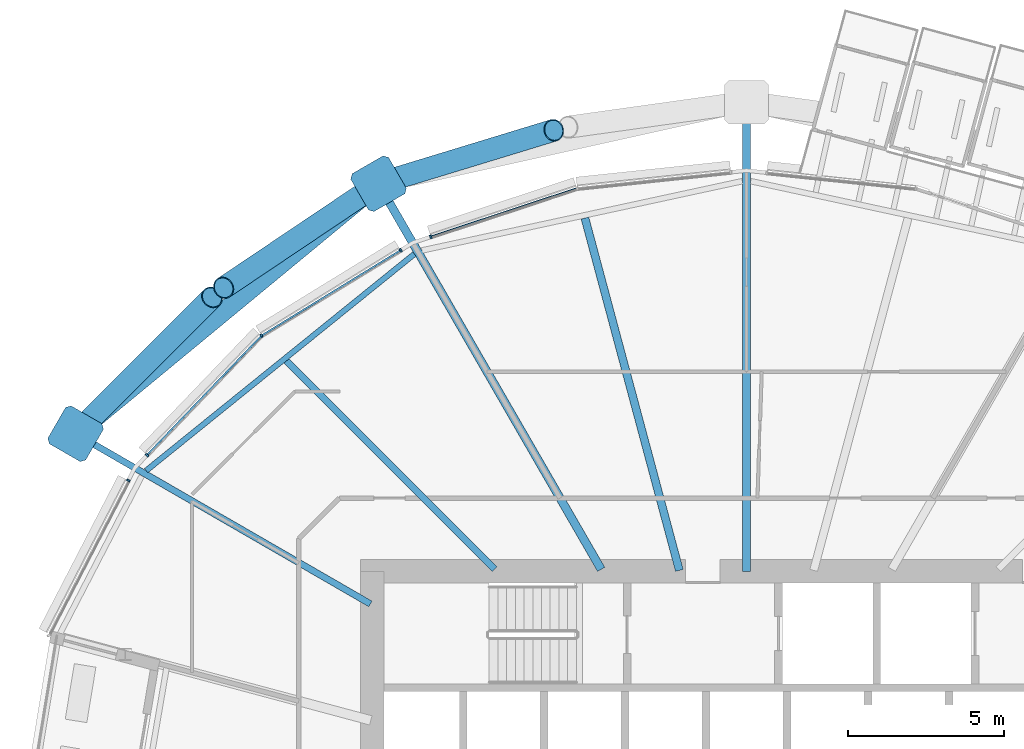
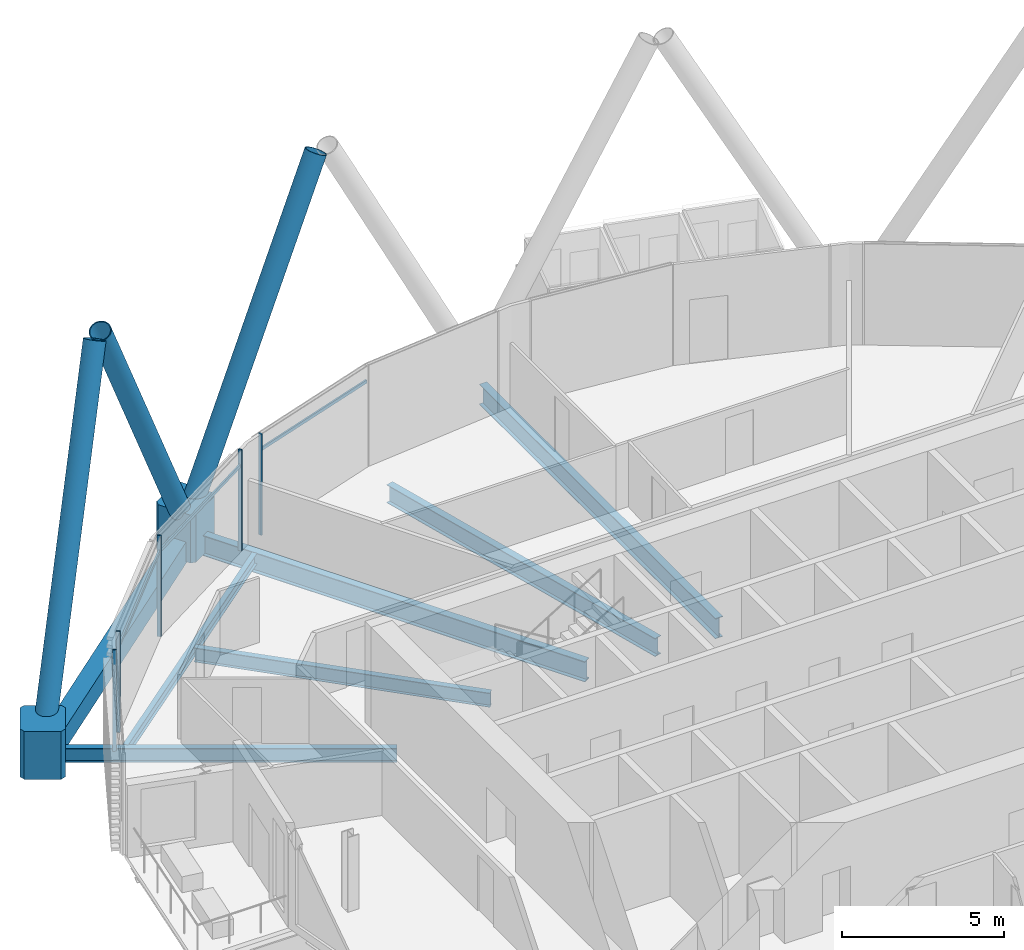
# One storey, part 11 of 38: 13 members, 7 beams, 1 element without a shape of its own.
"""IFC4 building model written with IfcOpenShell, lengths in metres."""

from ifc_helpers import new_model, si_unit, direction, frame, origin, origin_2d, place, context, subcontext, project, spatial, polyline, rectangle, hollow_rectangle, hollow_circle, i_section, outline, extrude, material, material_profile, profile_set, type_object, element, aggregate, save


model = new_model("IFC4")

# Units and contexts
model_context = context("Model", 3, precision=1e-05, world=origin(), true_north=direction((0.0, 1.0)))
body_context = subcontext(model_context, "Body", "Model", "MODEL_VIEW")
ifc_project = project(units=[si_unit("LENGTHUNIT", "METRE"), si_unit("AREAUNIT", "SQUARE_METRE"), si_unit("VOLUMEUNIT", "CUBIC_METRE"), si_unit("PLANEANGLEUNIT", "RADIAN"), si_unit("MASSUNIT", "GRAM", prefix="KILO")], contexts=[model_context])

# Site, building, storey
site_placement = place(None, origin())
site = spatial("IfcSite", under=ifc_project, at=site_placement, CompositionType="ELEMENT")
building_placement = place(site_placement, origin())
building = spatial("IfcBuilding", under=site, at=building_placement, Name="Rimbun Link Towers", CompositionType="ELEMENT")
storey_placement = place(building_placement, frame((0.0, 0.0, 104.39990234375)))
storey = spatial("IfcBuildingStorey", under=building, at=storey_placement, Name="L25", CompositionType="ELEMENT", Elevation=104.39990234375)

# Curtain wall, members
ifc_material_1 = material(Name="Aluminium 6063-T6 and low-iron glass", Category="aluminium")
curtain_wall_type = type_object("IfcCurtainWallType", Name="CW1-Z2 unitised vision wall (zone 2)", PredefinedType="NOTDEFINED", material=ifc_material_1)
curtain_wall_placement = place(storey_placement, origin())
curtain_wall = element("IfcCurtainWall", 1, at=curtain_wall_placement, inside=storey, type_object=curtain_wall_type, Name="CW1 L25 T1", PredefinedType="NOTDEFINED")
ifc_material_2 = material(Name="Aluminium 6063-T6", Category="aluminium")
ifc_material_profile_1 = material_profile(ifc_material_2, rectangle(XDim=0.1201171875, YDim=0.06005859375, at=origin_2d()), Name="MULLION 60X120")
ifc_profile_set_1 = profile_set([ifc_material_profile_1], Name="Aluminium 6063-T6")
member_type_1 = type_object("IfcMemberType", Name="CW1 mullion 60X120", PredefinedType="MULLION", material=ifc_profile_set_1)
member_1_placement = place(storey_placement, frame((-41.867431640625, 18.72314453125, 0.0), z_axis=(0.0, 0.0, 1.0), x_axis=(-0.314562268358, 0.949236840481, 0.0)))
member_1 = element("IfcMember", 2, at=member_1_placement, type_object=member_type_1, Name="CW1 mullion", PredefinedType="MULLION", context=body_context, shape_type="SweptSolid", body=[
    extrude(rectangle(XDim=0.1201171875, YDim=0.06005859375, at=origin_2d()), origin(), (0.0, 0.0, 1.0), 3.800048828125),
])
member_2_placement = place(storey_placement, frame((-47.294189453125, 15.55322265625, 0.0), z_axis=(0.0, 0.0, 1.0), x_axis=(-0.627670379428, 0.77847921924, 0.0)))
member_2 = element("IfcMember", 3, at=member_2_placement, type_object=member_type_1, Name="CW1 mullion", PredefinedType="MULLION", context=body_context, shape_type="SweptSolid", body=[
    extrude(rectangle(XDim=0.1201171875, YDim=0.06005859375, at=origin_2d()), origin(), (0.0, 0.0, 1.0), 3.800048828125),
])
member_3_placement = place(storey_placement, frame((-42.832763671875, 18.293212890625, 0.0), z_axis=(0.0, 0.0, 1.0), x_axis=(-0.523241267863, 0.852184590101, 0.0)))
member_3 = element("IfcMember", 4, at=member_3_placement, type_object=member_type_1, Name="CW1 mullion", PredefinedType="MULLION", context=body_context, shape_type="SweptSolid", body=[
    extrude(rectangle(XDim=0.1201171875, YDim=0.06005859375, at=origin_2d()), origin(), (0.0, 0.0, 1.0), 3.800048828125),
])
member_4_placement = place(storey_placement, frame((-50.9638671875, 11.726318359375, 0.0), z_axis=(0.0, 0.0, 1.0), x_axis=(-0.721844661886, 0.692055116379, 0.0)))
member_4 = element("IfcMember", 5, at=member_4_placement, type_object=member_type_1, Name="CW1 mullion", PredefinedType="MULLION", context=body_context, shape_type="SweptSolid", body=[
    extrude(rectangle(XDim=0.1201171875, YDim=0.06005859375, at=origin_2d()), origin(), (0.0, 0.0, 1.0), 3.800048828125),
])
member_5_placement = place(storey_placement, frame((-51.561279296875, 10.915771484375, 0.0), z_axis=(0.0, 0.0, 1.0), x_axis=(-0.888149178193, 0.459555260307, 0.0)))
member_5 = element("IfcMember", 6, at=member_5_placement, type_object=member_type_1, Name="CW1 mullion", PredefinedType="MULLION", context=body_context, shape_type="SweptSolid", body=[
    extrude(rectangle(XDim=0.1201171875, YDim=0.06005859375, at=origin_2d()), origin(), (0.0, 0.0, 1.0), 3.800048828125),
])
ifc_material_3 = material(Name="Aluminium 6063-T6", Category="aluminium")
ifc_material_profile_2 = material_profile(ifc_material_3, rectangle(XDim=0.06005859375, YDim=0.1201171875, at=origin_2d()), Name="TRANSOM 60X120")
ifc_profile_set_2 = profile_set([ifc_material_profile_2], Name="Aluminium 6063-T6")
member_type_2 = type_object("IfcMemberType", Name="CW1 transom 60X120", PredefinedType="USERDEFINED", material=ifc_profile_set_2)
member_6_placement = place(storey_placement, frame((-41.838134765625, 18.730712890625, 3.2001953125), z_axis=(0.949228164811, 0.314588447229, 0.0), x_axis=(-0.314588447229, 0.949228164811, 0.0)))
member_6 = element("IfcMember", 7, at=member_6_placement, type_object=member_type_2, Name="CW1 transom", ObjectType="TRANSOM", PredefinedType="USERDEFINED", context=body_context, shape_type="SweptSolid", body=[
    extrude(rectangle(XDim=0.06005859375, YDim=0.1201171875, at=origin_2d()), origin(), (0.0, 0.0, 1.0), 4.871337890625),
])
member_7_placement = place(storey_placement, frame((-47.261474609375, 15.57177734375, 3.2001953125), z_axis=(0.852183421185, 0.52324317163, 0.0), x_axis=(-0.52324317163, 0.852183421185, 0.0)))
member_7 = element("IfcMember", 8, at=member_7_placement, type_object=member_type_2, Name="CW1 transom", ObjectType="TRANSOM", PredefinedType="USERDEFINED", context=body_context, shape_type="SweptSolid", body=[
    extrude(rectangle(XDim=0.06005859375, YDim=0.1201171875, at=origin_2d()), origin(), (0.0, 0.0, 1.0), 5.16796875),
])
member_8_placement = place(storey_placement, frame((-50.941650390625, 11.746826171875, 3.2001953125), z_axis=(0.692047179396, 0.721852271237, 0.0), x_axis=(-0.721852271237, 0.692047179396, 0.0)))
member_8 = element("IfcMember", 9, at=member_8_placement, type_object=member_type_2, Name="CW1 transom", ObjectType="TRANSOM", PredefinedType="USERDEFINED", context=body_context, shape_type="SweptSolid", body=[
    extrude(rectangle(XDim=0.06005859375, YDim=0.1201171875, at=origin_2d()), origin(), (0.0, 0.0, 1.0), 5.234130859375),
])
aggregate(curtain_wall, [member_1, member_2, member_3, member_4, member_5, member_6, member_7, member_8])

# Members
ifc_material_4 = material(Name="Steel S460NH", Category="steel")
ifc_material_profile_3 = material_profile(ifc_material_4, hollow_circle(Radius=0.355712890625, WallThickness=0.031982421875, at=origin_2d()), Name="Diagrid diagonal CHS 711x32")
ifc_profile_set_3 = profile_set([ifc_material_profile_3], Name="Steel S460NH")
member_type_3 = type_object("IfcMemberType", Name="Diagrid diagonal CHS 711x32", PredefinedType="BRACE", material=ifc_profile_set_3)
member_9_placement = place(storey_placement, frame((-43.317138671875, 20.494873046875, 0.44091796875), z_axis=(0.451752795257, 0.137708802358, 0.881450904889), x_axis=(-0.291585641652, 0.956544726389, 0.0)))
element("IfcMember", 10, at=member_9_placement, inside=storey, type_object=member_type_3, Name="Diagrid diagonal T1 L25-L28 08a", PredefinedType="BRACE", context=body_context, shape_type="SweptSolid", body=[
    extrude(hollow_circle(Radius=0.355712890625, WallThickness=0.031982421875, at=origin_2d()), origin(), (0.0, 0.0, 1.0), 11.933349609375),
])
member_10_placement = place(storey_placement, frame((-43.74169921875, 20.29248046875, 0.43896484375), z_axis=(-0.397606804141, -0.267155437451, 0.877802256514), x_axis=(0.557708798998, -0.830036683238, 0.0)))
element("IfcMember", 11, at=member_10_placement, inside=storey, type_object=member_type_3, Name="Diagrid diagonal T1 L25-L28 08b", PredefinedType="BRACE", context=body_context, shape_type="SweptSolid", body=[
    extrude(hollow_circle(Radius=0.355712890625, WallThickness=0.031982421875, at=origin_2d()), origin(), (0.0, 0.0, 1.0), 11.987060546875),
])
member_11_placement = place(storey_placement, frame((-53.076171875, 12.58642578125, 0.435791015625), z_axis=(0.347179776941, 0.347220177218, 0.871151164274), x_axis=(-0.707147919551, 0.707065640428, 0.0)))
element("IfcMember", 12, at=member_11_placement, inside=storey, type_object=member_type_3, Name="Diagrid diagonal T1 L25-L28 10a", PredefinedType="BRACE", context=body_context, shape_type="SweptSolid", body=[
    extrude(hollow_circle(Radius=0.355712890625, WallThickness=0.031982421875, at=origin_2d()), origin(), (0.0, 0.0, 1.0), 12.086181640625),
])
ifc_material_5 = material(Name="Cast steel G20Mn5+QT, Rp0.2 300 MPa", Category="steel")
ifc_material_profile_4 = material_profile(ifc_material_5, outline(polyline([(0.699951171875, -0.570068359375), (0.699951171875, 0.570068359375), (0.570068359375, 0.699951171875), (-0.570068359375, 0.699951171875), (-0.699951171875, 0.570068359375), (-0.699951171875, -0.570068359375), (-0.570068359375, -0.699951171875), (0.570068359375, -0.699951171875), (0.699951171875, -0.570068359375)])), Name="NODE 1400x1400")
ifc_profile_set_4 = profile_set([ifc_material_profile_4], Name="Cast steel G20Mn5+QT, Rp0.2 300 MPa")
member_type_4 = type_object("IfcMemberType", Name="Diagrid node cast 1400", PredefinedType="USERDEFINED", material=ifc_profile_set_4)
for number, where, z_axis, x_axis, name in (
    (13, (-43.54296875, 20.426025390625, -0.89990234375), (0.0, 0.0, 1.0), (-0.5, 0.866025403784, 0.0), "Diagrid node L25 08"),
    (14, (-53.249755859375, 12.412841796875, -0.89990234375), (0.0, 0.0, 1.0), (-0.866025403784, 0.5, 0.0), "Diagrid node L25 10"),
):
    element("IfcMember", number, at=place(storey_placement, frame(where, z_axis=z_axis, x_axis=x_axis)), inside=storey, type_object=member_type_4, Name=name, ObjectType="Diagrid node", PredefinedType="USERDEFINED", context=body_context, shape_type="SweptSolid", body=[
        extrude(outline(polyline([(0.699951171875, -0.570068359375), (0.699951171875, 0.570068359375), (0.570068359375, 0.699951171875), (-0.570068359375, 0.699951171875), (-0.699951171875, 0.570068359375), (-0.699951171875, -0.570068359375), (-0.570068359375, -0.699951171875), (0.570068359375, -0.699951171875), (0.699951171875, -0.570068359375)])), origin(), (0.0, 0.0, 1.0), 1.800048828125),
    ])

# Beams
ifc_material_6 = material(Name="Steel S355J2", Category="steel")
ifc_material_profile_5 = material_profile(ifc_material_6, hollow_rectangle(XDim=0.60009765625, YDim=0.800048828125, WallThickness=0.0400390625, at=origin_2d()), Name="Exoskeleton ring girder BOX 600x800x40")
ifc_profile_set_5 = profile_set([ifc_material_profile_5], Name="Steel S355J2")
beam_type_1 = type_object("IfcBeamType", Name="Exoskeleton ring girder BOX 600x800x40", PredefinedType="BEAM", material=ifc_profile_set_5)
beam_1_placement = place(storey_placement, frame((-44.082763671875, 19.98046875, -0.559814453125), z_axis=(-0.771169963545, -0.636629317048, 0.0), x_axis=(0.636629317048, -0.771169963545, 0.0)))
element("IfcBeam", 15, at=beam_1_placement, inside=storey, type_object=beam_type_1, Name="Exoskeleton ring girder L25 04", PredefinedType="BEAM", context=body_context, shape_type="SweptSolid", body=[
    extrude(hollow_rectangle(XDim=0.60009765625, YDim=0.800048828125, WallThickness=0.0400390625, at=origin_2d()), origin(), (0.0, 0.0, 1.0), 11.187255859375),
])
ifc_material_7 = material(Name="Steel S355J2", Category="steel")
ifc_material_profile_6 = material_profile(ifc_material_7, i_section(OverallWidth=0.177978515625, OverallDepth=0.406494140625, WebThickness=0.0078125, FlangeThickness=0.0126953125, at=origin_2d()), Name="UB 406x178x60")
ifc_profile_set_6 = profile_set([ifc_material_profile_6], Name="Steel S355J2")
beam_type_2 = type_object("IfcBeamType", Name="UB 406x178x60", PredefinedType="BEAM", material=ifc_profile_set_6)
beam_2_placement = place(storey_placement, frame((-42.39599609375, 18.1708984375, -0.363037109375), z_axis=(-0.77797774246, -0.628291836838, 0.0), x_axis=(0.628291836838, -0.77797774246, 0.0)))
element("IfcBeam", 16, at=beam_2_placement, inside=storey, type_object=beam_type_2, Name="Edge beam T1 L25 08-10", PredefinedType="BEAM", context=body_context, shape_type="SweptSolid", body=[
    extrude(i_section(OverallWidth=0.177978515625, OverallDepth=0.406494140625, WebThickness=0.0078125, FlangeThickness=0.0126953125, at=origin_2d()), origin(), (0.0, 0.0, 1.0), 11.046875),
])
ifc_material_8 = material(Name="Steel S355J2", Category="steel")
ifc_material_profile_7 = material_profile(ifc_material_8, i_section(OverallWidth=0.209228515625, OverallDepth=0.533203125, WebThickness=0.010009765625, FlangeThickness=0.015625, at=origin_2d()), Name="UB 533x210x92")
ifc_profile_set_7 = profile_set([ifc_material_profile_7], Name="Steel S355J2")
beam_type_3 = type_object("IfcBeamType", Name="UB 533x210x92", PredefinedType="BEAM", material=ifc_profile_set_7)
beam_3_placement = place(storey_placement, frame((-39.82470703125, 8.07470703125, -0.426513671875), z_axis=(-0.707106781187, 0.707106781187, 0.0), x_axis=(-0.707106781187, -0.707106781187, 0.0)))
element("IfcBeam", 17, at=beam_3_placement, inside=storey, type_object=beam_type_3, Name="Radial beam T1 L25 09", PredefinedType="BEAM", context=body_context, shape_type="SweptSolid", body=[
    extrude(i_section(OverallWidth=0.209228515625, OverallDepth=0.533203125, WebThickness=0.010009765625, FlangeThickness=0.015625, at=origin_2d()), origin(), (0.0, 0.0, 1.0), 9.433349609375),
])
beam_4_placement = place(storey_placement, frame((-43.80322265625, 6.958984375, -0.426513671875), z_axis=(-0.866027380287, 0.499996576582, 0.0), x_axis=(-0.499996576582, -0.866027380287, 0.0)))
element("IfcBeam", 18, at=beam_4_placement, inside=storey, type_object=beam_type_3, Name="Radial beam T1 L25 10", PredefinedType="BEAM", context=body_context, shape_type="SweptSolid", body=[
    extrude(i_section(OverallWidth=0.209228515625, OverallDepth=0.533203125, WebThickness=0.010009765625, FlangeThickness=0.015625, at=origin_2d()), origin(), (0.0, 0.0, 1.0), 10.40771484375),
])
ifc_material_9 = material(Name="Steel S355J2", Category="steel")
ifc_material_profile_8 = material_profile(ifc_material_9, i_section(OverallWidth=0.253662109375, OverallDepth=0.68359375, WebThickness=0.012451171875, FlangeThickness=0.01904296875, at=origin_2d()), Name="UB 686x254x140")
ifc_profile_set_8 = profile_set([ifc_material_profile_8], Name="Steel S355J2")
beam_type_4 = type_object("IfcBeamType", Name="UB 686x254x140", PredefinedType="BEAM", material=ifc_profile_set_8)
beam_5_placement = place(storey_placement, frame((-33.902587890625, 8.03369140625, -0.501708984375), z_axis=(-0.258822040224, 0.965925023744, 0.0), x_axis=(-0.965925023744, -0.258822040224, 0.0)))
element("IfcBeam", 19, at=beam_5_placement, inside=storey, type_object=beam_type_4, Name="Radial beam T1 L25 07", PredefinedType="BEAM", context=body_context, shape_type="SweptSolid", body=[
    extrude(i_section(OverallWidth=0.253662109375, OverallDepth=0.68359375, WebThickness=0.012451171875, FlangeThickness=0.01904296875, at=origin_2d()), origin(), (0.0, 0.0, 1.0), 11.68896484375),
])
ifc_material_10 = material(Name="Steel S355J2", Category="steel")
ifc_material_profile_9 = material_profile(ifc_material_10, i_section(OverallWidth=0.2666015625, OverallDepth=0.76220703125, WebThickness=0.014404296875, FlangeThickness=0.021484375, at=origin_2d()), Name="UB 762x267x173")
ifc_profile_set_9 = profile_set([ifc_material_profile_9], Name="Steel S355J2")
beam_type_5 = type_object("IfcBeamType", Name="UB 762x267x173", PredefinedType="BEAM", material=ifc_profile_set_9)
beam_6_placement = place(storey_placement, frame((-31.75, 8.0009765625, -0.541015625), z_axis=(0.0, 1.0, 0.0), x_axis=(-1.0, 0.0, 0.0)))
element("IfcBeam", 20, at=beam_6_placement, inside=storey, type_object=beam_type_5, Name="Radial beam T1 L25 06", PredefinedType="BEAM", context=body_context, shape_type="SweptSolid", body=[
    extrude(i_section(OverallWidth=0.2666015625, OverallDepth=0.76220703125, WebThickness=0.014404296875, FlangeThickness=0.021484375, at=origin_2d()), origin(), (0.0, 0.0, 1.0), 14.537109375),
])
beam_7_placement = place(storey_placement, frame((-36.40771484375, 8.0673828125, -0.541015625), z_axis=(-0.500002279114, 0.866024087933, 0.0), x_axis=(-0.866024087933, -0.500002279114, 0.0)))
element("IfcBeam", 21, at=beam_7_placement, inside=storey, type_object=beam_type_5, Name="Radial beam T1 L25 08", PredefinedType="BEAM", context=body_context, shape_type="SweptSolid", body=[
    extrude(i_section(OverallWidth=0.2666015625, OverallDepth=0.76220703125, WebThickness=0.014404296875, FlangeThickness=0.021484375, at=origin_2d()), origin(), (0.0, 0.0, 1.0), 13.7705078125),
])

save(model, "model.ifc")
